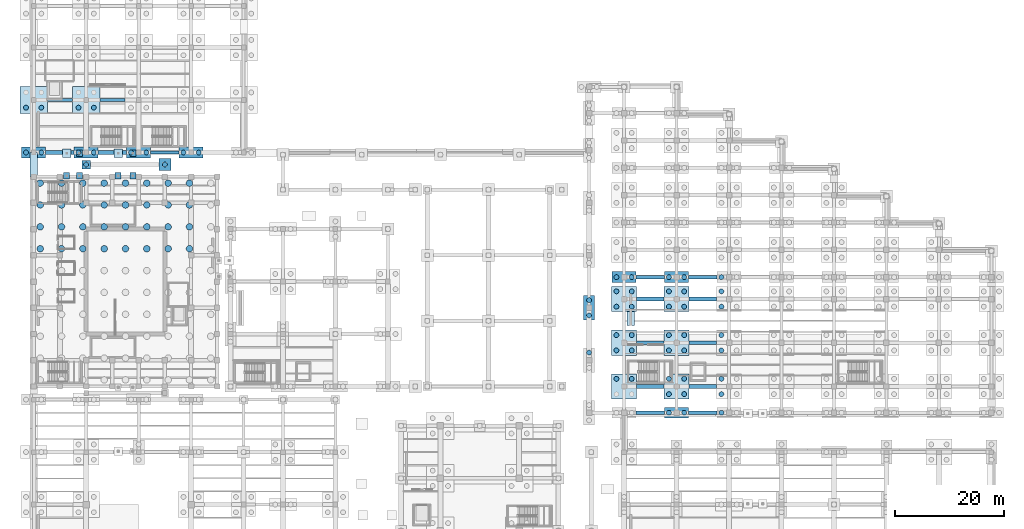
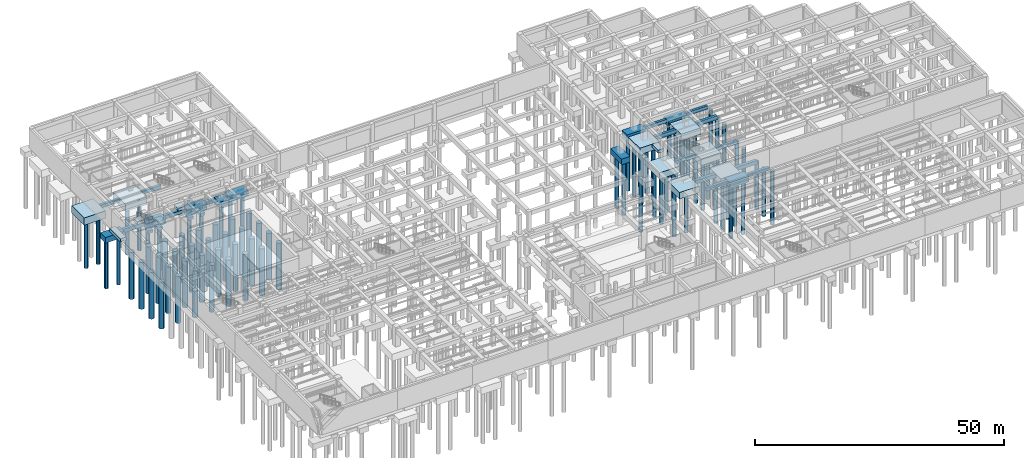
# One storey, part 5 of 56: 85 piles, 43 footings.
"""IFC4 building model written with IfcOpenShell, lengths in metres."""

from ifc_helpers import new_model, si_unit, direction, frame, origin, origin_2d, place, context, subcontext, project, spatial, rectangle, circle, extrude, material, material_profile, profile_set, type_object, element, save


model = new_model("IFC4")

# Units and contexts
model_context = context("Model", 3, precision=1e-05, world=origin(), true_north=direction((0.0, 1.0)))
body_context = subcontext(model_context, "Body", "Model", "MODEL_VIEW")
ifc_project = project(units=[si_unit("LENGTHUNIT", "METRE"), si_unit("AREAUNIT", "SQUARE_METRE"), si_unit("VOLUMEUNIT", "CUBIC_METRE"), si_unit("PLANEANGLEUNIT", "RADIAN"), si_unit("MASSUNIT", "GRAM", prefix="KILO")], contexts=[model_context])

# Site, building, storey
site_placement = place(None, origin())
site = spatial("IfcSite", under=ifc_project, at=site_placement, CompositionType="ELEMENT")
building_placement = place(site_placement, origin())
building = spatial("IfcBuilding", under=site, at=building_placement, Name="Mavantir Sound Aquarium", CompositionType="ELEMENT")
storey_placement = place(building_placement, frame((0.0, 0.0, -9.60009765625)))
storey = spatial("IfcBuildingStorey", under=building, at=storey_placement, Name="B2", CompositionType="ELEMENT", Elevation=-9.60009765625)

# Footings
ifc_material = material(Name="Concrete C40/50", Category="concrete")
ifc_material_profile_1 = material_profile(ifc_material, rectangle(XDim=0.60009765625, YDim=0.800048828125, at=origin_2d()), Name="RC 600X800")
ifc_profile_set_1 = profile_set([ifc_material_profile_1], Name="Concrete C40/50")
footing_type_1 = type_object("IfcFootingType", Name="FB-01", PredefinedType="FOOTING_BEAM", material=ifc_profile_set_1)
for number, where, z_axis, x_axis, name in (
    (1, (2.508056640625, 93.199951171875, -1.599853515625), (1.0, 0.0, 0.0), (0.0, 1.0, 0.0), "Foundation tie beam FB-01 7"),
    (2, (12.10791015625, 93.199951171875, -1.599853515625), (1.0, 0.0, 0.0), (0.0, 1.0, 0.0), "Foundation tie beam FB-01 15"),
):
    element("IfcFooting", number, at=place(storey_placement, frame(where, z_axis=z_axis, x_axis=x_axis)), inside=storey, type_object=footing_type_1, Name=name, PredefinedType="FOOTING_BEAM", context=body_context, shape_type="SweptSolid", body=[
        extrude(rectangle(XDim=0.60009765625, YDim=0.800048828125, at=origin_2d()), origin(), (0.0, 0.0, 1.0), 4.583984375),
    ])
for number, where, z_axis, x_axis, name in (
    (3, (21.407958984375, 83.60009765625, -1.599853515625), (1.0, 0.0, 0.0), (0.0, 1.0, 0.0), "Foundation tie beam FB-01 21"),
    (4, (110.2080078125, 36.0, -0.39990234375), (1.0, 0.0, 0.0), (0.0, 1.0, 0.0), "Foundation tie beam FB-01 85"),
):
    element("IfcFooting", number, at=place(storey_placement, frame(where, z_axis=z_axis, x_axis=x_axis)), inside=storey, type_object=footing_type_1, Name=name, PredefinedType="FOOTING_BEAM", context=body_context, shape_type="SweptSolid", body=[
        extrude(rectangle(XDim=0.60009765625, YDim=0.800048828125, at=origin_2d()), origin(), (0.0, 0.0, 1.0), 5.18408203125),
    ])
footing_1_placement = place(storey_placement, frame((110.30810546875, 48.800048828125, -1.599853515625), z_axis=(1.0, 0.0, 0.0), x_axis=(0.0, 1.0, 0.0)))
element("IfcFooting", 5, at=footing_1_placement, inside=storey, type_object=footing_type_1, Name="Foundation tie beam FB-01 87", PredefinedType="FOOTING_BEAM", context=body_context, shape_type="SweptSolid", body=[
    extrude(rectangle(XDim=0.60009765625, YDim=0.800048828125, at=origin_2d()), origin(), (0.0, 0.0, 1.0), 4.98388671875),
])
footing_2_placement = place(storey_placement, frame((110.2080078125, 60.800048828125, -0.39990234375), z_axis=(1.0, 0.0, 0.0), x_axis=(0.0, 1.0, 0.0)))
element("IfcFooting", 6, at=footing_2_placement, inside=storey, type_object=footing_type_1, Name="Foundation tie beam FB-01 89", PredefinedType="FOOTING_BEAM", context=body_context, shape_type="SweptSolid", body=[
    extrude(rectangle(XDim=0.60009765625, YDim=0.800048828125, at=origin_2d()), origin(), (0.0, 0.0, 1.0), 5.18408203125),
])
footing_3_placement = place(storey_placement, frame((119.80810546875, 36.0, -0.39990234375), z_axis=(1.0, 0.0, 0.0), x_axis=(0.0, 1.0, 0.0)))
element("IfcFooting", 7, at=footing_3_placement, inside=storey, type_object=footing_type_1, Name="Foundation tie beam FB-01 101", PredefinedType="FOOTING_BEAM", context=body_context, shape_type="SweptSolid", body=[
    extrude(rectangle(XDim=0.60009765625, YDim=0.800048828125, at=origin_2d()), origin(), (0.0, 0.0, 1.0), 5.183837890625),
])
footing_4_placement = place(storey_placement, frame((119.89990234375, 48.800048828125, -1.599853515625), z_axis=(1.0, 0.0, 0.0), x_axis=(0.0, 1.0, 0.0)))
element("IfcFooting", 8, at=footing_4_placement, inside=storey, type_object=footing_type_1, Name="Foundation tie beam FB-01 103", PredefinedType="FOOTING_BEAM", context=body_context, shape_type="SweptSolid", body=[
    extrude(rectangle(XDim=0.60009765625, YDim=0.800048828125, at=origin_2d()), origin(), (0.0, 0.0, 1.0), 4.9921875),
])
footing_5_placement = place(storey_placement, frame((119.80810546875, 60.800048828125, -0.39990234375), z_axis=(1.0, 0.0, 0.0), x_axis=(0.0, 1.0, 0.0)))
element("IfcFooting", 9, at=footing_5_placement, inside=storey, type_object=footing_type_1, Name="Foundation tie beam FB-01 105", PredefinedType="FOOTING_BEAM", context=body_context, shape_type="SweptSolid", body=[
    extrude(rectangle(XDim=0.60009765625, YDim=0.800048828125, at=origin_2d()), origin(), (0.0, 0.0, 1.0), 5.183837890625),
])
ifc_material_profile_2 = material_profile(ifc_material, rectangle(XDim=0.699951171875, YDim=0.89990234375, at=origin_2d()), Name="RC 700X900")
ifc_profile_set_2 = profile_set([ifc_material_profile_2], Name="Concrete C40/50")
footing_type_2 = type_object("IfcFootingType", Name="FB-02", PredefinedType="FOOTING_BEAM", material=ifc_profile_set_2)
footing_6_placement = place(storey_placement, frame((2.2080078125, 83.60009765625, -1.64990234375), z_axis=(1.0, 0.0, 0.0), x_axis=(0.0, 1.0, 0.0)))
element("IfcFooting", 10, at=footing_6_placement, inside=storey, type_object=footing_type_2, Name="Foundation tie beam FB-02 6", PredefinedType="FOOTING_BEAM", context=body_context, shape_type="SweptSolid", body=[
    extrude(rectangle(XDim=0.699951171875, YDim=0.89990234375, at=origin_2d()), origin(), (0.0, 0.0, 1.0), 5.18408203125),
])
footing_7_placement = place(storey_placement, frame((11.80810546875, 83.60009765625, -1.64990234375), z_axis=(1.0, 0.0, 0.0), x_axis=(0.0, 1.0, 0.0)))
element("IfcFooting", 11, at=footing_7_placement, inside=storey, type_object=footing_type_2, Name="Foundation tie beam FB-02 14", PredefinedType="FOOTING_BEAM", context=body_context, shape_type="SweptSolid", body=[
    extrude(rectangle(XDim=0.699951171875, YDim=0.89990234375, at=origin_2d()), origin(), (0.0, 0.0, 1.0), 5.183837890625),
])
for number, where, z_axis, x_axis, name in (
    (12, (110.30810546875, 40.800048828125, -1.64990234375), (1.0, 0.0, 0.0), (0.0, 1.0, 0.0), "Foundation tie beam FB-02 86"),
    (13, (110.30810546875, 56.800048828125, -0.449951171875), (1.0, 0.0, 0.0), (0.0, 1.0, 0.0), "Foundation tie beam FB-02 88"),
):
    element("IfcFooting", number, at=place(storey_placement, frame(where, z_axis=z_axis, x_axis=x_axis)), inside=storey, type_object=footing_type_2, Name=name, PredefinedType="FOOTING_BEAM", context=body_context, shape_type="SweptSolid", body=[
        extrude(rectangle(XDim=0.699951171875, YDim=0.89990234375, at=origin_2d()), origin(), (0.0, 0.0, 1.0), 4.98388671875),
    ])
for number, where, z_axis, x_axis, name in (
    (14, (119.89990234375, 40.800048828125, -1.64990234375), (1.0, 0.0, 0.0), (0.0, 1.0, 0.0), "Foundation tie beam FB-02 102"),
    (15, (119.89990234375, 56.800048828125, -0.449951171875), (1.0, 0.0, 0.0), (0.0, 1.0, 0.0), "Foundation tie beam FB-02 104"),
):
    element("IfcFooting", number, at=place(storey_placement, frame(where, z_axis=z_axis, x_axis=x_axis)), inside=storey, type_object=footing_type_2, Name=name, PredefinedType="FOOTING_BEAM", context=body_context, shape_type="SweptSolid", body=[
        extrude(rectangle(XDim=0.699951171875, YDim=0.89990234375, at=origin_2d()), origin(), (0.0, 0.0, 1.0), 4.9921875),
    ])
footing_type_3 = type_object("IfcFootingType", Name="PC-01", PredefinedType="PILE_CAP", material=ifc_material)
for number, where, z_axis, x_axis, name in (
    (16, (108.0, 40.800048828125, -2.800048828125), (0.0, 0.0, 1.0), (1.0, 0.0, 0.0), "Pile cap PC-01 59"),
    (17, (108.0, 48.800048828125, -2.800048828125), (0.0, 0.0, 1.0), (1.0, 0.0, 0.0), "Pile cap PC-01 60"),
    (18, (108.0, 56.800048828125, -1.599853515625), (0.0, 0.0, 1.0), (1.0, 0.0, 0.0), "Pile cap PC-01 61"),
    (19, (117.60009765625, 40.800048828125, -2.800048828125), (0.0, 0.0, 1.0), (1.0, 0.0, 0.0), "Pile cap PC-01 71"),
    (20, (117.60009765625, 48.800048828125, -2.800048828125), (0.0, 0.0, 1.0), (1.0, 0.0, 0.0), "Pile cap PC-01 72"),
    (21, (117.60009765625, 56.800048828125, -1.599853515625), (0.0, 0.0, 1.0), (1.0, 0.0, 0.0), "Pile cap PC-01 73"),
):
    element("IfcFooting", number, at=place(storey_placement, frame(where, z_axis=z_axis, x_axis=x_axis)), inside=storey, type_object=footing_type_3, Name=name, PredefinedType="PILE_CAP", context=body_context, shape_type="SweptSolid", body=[
        extrude(rectangle(XDim=4.60009765625, YDim=4.60009765625, at=origin_2d()), origin(), (0.0, 0.0, 1.0), 1.60009765625),
    ])
footing_type_4 = type_object("IfcFootingType", Name="PC-03", PredefinedType="PILE_CAP", material=ifc_material)
for number, where, z_axis, x_axis, name in (
    (22, (108.0, 60.800048828125, -1.39990234375), (0.0, 0.0, 1.0), (1.0, 0.0, 0.0), "Pile cap PC-03 62"),
    (23, (117.60009765625, 36.0, -1.39990234375), (0.0, 0.0, 1.0), (1.0, 0.0, 0.0), "Pile cap PC-03 70"),
    (24, (117.60009765625, 60.800048828125, -1.39990234375), (0.0, 0.0, 1.0), (1.0, 0.0, 0.0), "Pile cap PC-03 74"),
    (25, (0.0, 83.60009765625, -2.599853515625), (0.0, 0.0, 1.0), (1.0, 0.0, 0.0), "Pile cap PC-03 133"),
    (26, (9.60009765625, 83.60009765625, -2.599853515625), (0.0, 0.0, 1.0), (1.0, 0.0, 0.0), "Pile cap PC-03 138"),
    (27, (19.199951171875, 83.60009765625, -2.599853515625), (0.0, 0.0, 1.0), (1.0, 0.0, 0.0), "Pile cap PC-03 143"),
    (28, (28.800048828125, 83.60009765625, -2.599853515625), (0.0, 0.0, 1.0), (1.0, 0.0, 0.0), "Pile cap PC-03 148"),
):
    element("IfcFooting", number, at=place(storey_placement, frame(where, z_axis=z_axis, x_axis=x_axis)), inside=storey, type_object=footing_type_4, Name=name, PredefinedType="PILE_CAP", context=body_context, shape_type="SweptSolid", body=[
        extrude(rectangle(XDim=4.39990234375, YDim=2.0, at=origin_2d()), origin(), (0.0, 0.0, 1.0), 1.39990234375),
    ])
footing_type_5 = type_object("IfcFootingType", Name="PC-04", PredefinedType="PILE_CAP", material=ifc_material)
footing_8_placement = place(storey_placement, frame((101.60009765625, 55.199951171875, -1.39990234375), z_axis=(0.0, 0.0, 1.0), x_axis=(1.0, 0.0, 0.0)))
element("IfcFooting", 29, at=footing_8_placement, inside=storey, type_object=footing_type_5, Name="Pile cap PC-04 52", PredefinedType="PILE_CAP", context=body_context, shape_type="SweptSolid", body=[
    extrude(rectangle(XDim=2.0, YDim=4.39990234375, at=origin_2d()), origin(), (0.0, 0.0, 1.0), 1.39990234375),
])
footing_type_6 = type_object("IfcFootingType", Name="PC-06", PredefinedType="PILE_CAP", material=ifc_material)
for number, where, z_axis, x_axis, name in (
    (30, (0.0, 93.199951171875, -3.0), (0.0, 0.0, 1.0), (1.0, 0.0, 0.0), "Pile cap PC-06 134"),
    (31, (9.60009765625, 93.199951171875, -3.0), (0.0, 0.0, 1.0), (1.0, 0.0, 0.0), "Pile cap PC-06 139"),
):
    element("IfcFooting", number, at=place(storey_placement, frame(where, z_axis=z_axis, x_axis=x_axis)), inside=storey, type_object=footing_type_6, Name=name, PredefinedType="PILE_CAP", context=body_context, shape_type="SweptSolid", body=[
        extrude(rectangle(XDim=5.0, YDim=5.0, at=origin_2d()), origin(), (0.0, 0.0, 1.0), 1.800048828125),
    ])
footing_type_7 = type_object("IfcFootingType", Name="PC-08", PredefinedType="PILE_CAP", material=ifc_material)
footing_9_placement = place(storey_placement, frame((24.0, 81.39990234375, -1.2998046875), z_axis=(0.0, 0.0, 1.0), x_axis=(1.0, 0.0, 0.0)))
element("IfcFooting", 32, at=footing_9_placement, inside=storey, type_object=footing_type_7, Name="Pile cap PC-08 236", PredefinedType="PILE_CAP", context=body_context, shape_type="SweptSolid", body=[
    extrude(rectangle(XDim=2.199951171875, YDim=2.199951171875, at=origin_2d()), origin(), (0.0, 0.0, 1.0), 1.300048828125),
])
footing_type_8 = type_object("IfcFootingType", Name="PC-13", PredefinedType="PILE_CAP", material=ifc_material)
footing_10_placement = place(storey_placement, frame((9.60009765625, 81.39990234375, -1.099853515625), z_axis=(0.0, 0.0, 1.0), x_axis=(1.0, 0.0, 0.0)))
element("IfcFooting", 33, at=footing_10_placement, inside=storey, type_object=footing_type_8, Name="Pile cap PC-13 235", PredefinedType="PILE_CAP", context=body_context, shape_type="SweptSolid", body=[
    extrude(rectangle(XDim=1.550048828125, YDim=1.550048828125, at=origin_2d()), origin(), (0.0, 0.0, 1.0), 1.10009765625),
])
footing_type_9 = type_object("IfcFootingType", Name="PF-04", PredefinedType="PAD_FOOTING", material=ifc_material)
for number, where, z_axis, x_axis, name in (
    (34, (15.449951171875, 83.449951171875, -0.69970703125), (0.0, 0.0, 1.0), (1.0, 0.0, 0.0), "Bridge pier footing 3.2"),
    (35, (6.050048828125, 83.449951171875, -0.69970703125), (0.0, 0.0, 1.0), (1.0, 0.0, 0.0), "Bridge pier footing 5.2"),
):
    element("IfcFooting", number, at=place(storey_placement, frame(where, z_axis=z_axis, x_axis=x_axis)), inside=storey, type_object=footing_type_9, Name=name, PredefinedType="PAD_FOOTING", context=body_context, shape_type="SweptSolid", body=[
        extrude(rectangle(XDim=1.60009765625, YDim=1.60009765625, at=origin_2d()), origin(), (0.0, 0.0, 1.0), 0.699951171875),
    ])

# Piles
ifc_material_profile_3 = material_profile(ifc_material, circle(Radius=0.60009765625, at=origin_2d()), Name="PILE D1200")
ifc_profile_set_3 = profile_set([ifc_material_profile_3], Name="Concrete C40/50")
pile_type_1 = type_object("IfcPileType", Name="PILE-D1200", PredefinedType="BORED", material=ifc_profile_set_3)
for number, where, z_axis, x_axis, name in (
    (36, (1.199951171875, 66.0, -2.89990234375), (0.0, 0.0, -1.0), (1.0, 0.0, 0.0), "Bored pile P-1200 7"),
    (37, (1.199951171875, 70.0, -2.89990234375), (0.0, 0.0, -1.0), (1.0, 0.0, 0.0), "Bored pile P-1200 8"),
    (38, (1.199951171875, 74.0, -2.89990234375), (0.0, 0.0, -1.0), (1.0, 0.0, 0.0), "Bored pile P-1200 9"),
    (39, (1.199951171875, 78.0, -2.89990234375), (0.0, 0.0, -1.0), (1.0, 0.0, 0.0), "Bored pile P-1200 10"),
    (40, (5.10009765625, 66.0, -2.89990234375), (0.0, 0.0, -1.0), (1.0, 0.0, 0.0), "Bored pile P-1200 17"),
    (41, (5.10009765625, 70.0, -2.89990234375), (0.0, 0.0, -1.0), (1.0, 0.0, 0.0), "Bored pile P-1200 18"),
    (42, (5.10009765625, 74.0, -2.89990234375), (0.0, 0.0, -1.0), (1.0, 0.0, 0.0), "Bored pile P-1200 19"),
    (43, (5.10009765625, 78.0, -2.89990234375), (0.0, 0.0, -1.0), (1.0, 0.0, 0.0), "Bored pile P-1200 20"),
    (44, (9.0, 66.0, -2.89990234375), (0.0, 0.0, -1.0), (1.0, 0.0, 0.0), "Bored pile P-1200 27"),
    (45, (9.0, 70.0, -2.89990234375), (0.0, 0.0, -1.0), (1.0, 0.0, 0.0), "Bored pile P-1200 28"),
    (46, (9.0, 74.0, -2.89990234375), (0.0, 0.0, -1.0), (1.0, 0.0, 0.0), "Bored pile P-1200 29"),
    (47, (9.0, 78.0, -2.89990234375), (0.0, 0.0, -1.0), (1.0, 0.0, 0.0), "Bored pile P-1200 30"),
    (48, (12.89990234375, 66.0, -2.89990234375), (0.0, 0.0, -1.0), (1.0, 0.0, 0.0), "Bored pile P-1200 37"),
    (49, (12.89990234375, 70.0, -2.89990234375), (0.0, 0.0, -1.0), (1.0, 0.0, 0.0), "Bored pile P-1200 38"),
    (50, (12.89990234375, 74.0, -2.89990234375), (0.0, 0.0, -1.0), (1.0, 0.0, 0.0), "Bored pile P-1200 39"),
    (51, (12.89990234375, 78.0, -2.89990234375), (0.0, 0.0, -1.0), (1.0, 0.0, 0.0), "Bored pile P-1200 40"),
    (52, (16.800048828125, 66.0, -2.89990234375), (0.0, 0.0, -1.0), (1.0, 0.0, 0.0), "Bored pile P-1200 47"),
    (53, (16.800048828125, 70.0, -2.89990234375), (0.0, 0.0, -1.0), (1.0, 0.0, 0.0), "Bored pile P-1200 48"),
    (54, (16.800048828125, 74.0, -2.89990234375), (0.0, 0.0, -1.0), (1.0, 0.0, 0.0), "Bored pile P-1200 49"),
    (55, (16.800048828125, 78.0, -2.89990234375), (0.0, 0.0, -1.0), (1.0, 0.0, 0.0), "Bored pile P-1200 50"),
    (56, (20.699951171875, 66.0, -2.89990234375), (0.0, 0.0, -1.0), (1.0, 0.0, 0.0), "Bored pile P-1200 57"),
    (57, (20.699951171875, 70.0, -2.89990234375), (0.0, 0.0, -1.0), (1.0, 0.0, 0.0), "Bored pile P-1200 58"),
    (58, (20.699951171875, 74.0, -2.89990234375), (0.0, 0.0, -1.0), (1.0, 0.0, 0.0), "Bored pile P-1200 59"),
    (59, (20.699951171875, 78.0, -2.89990234375), (0.0, 0.0, -1.0), (1.0, 0.0, 0.0), "Bored pile P-1200 60"),
    (60, (24.60009765625, 66.0, -2.89990234375), (0.0, 0.0, -1.0), (1.0, 0.0, 0.0), "Bored pile P-1200 67"),
    (61, (24.60009765625, 70.0, -2.89990234375), (0.0, 0.0, -1.0), (1.0, 0.0, 0.0), "Bored pile P-1200 68"),
    (62, (24.60009765625, 74.0, -2.89990234375), (0.0, 0.0, -1.0), (1.0, 0.0, 0.0), "Bored pile P-1200 69"),
    (63, (24.60009765625, 78.0, -2.89990234375), (0.0, 0.0, -1.0), (1.0, 0.0, 0.0), "Bored pile P-1200 70"),
    (64, (28.5, 66.0, -2.89990234375), (0.0, 0.0, -1.0), (1.0, 0.0, 0.0), "Bored pile P-1200 77"),
    (65, (28.5, 70.0, -2.89990234375), (0.0, 0.0, -1.0), (1.0, 0.0, 0.0), "Bored pile P-1200 78"),
    (66, (28.5, 74.0, -2.89990234375), (0.0, 0.0, -1.0), (1.0, 0.0, 0.0), "Bored pile P-1200 79"),
    (67, (28.5, 78.0, -2.89990234375), (0.0, 0.0, -1.0), (1.0, 0.0, 0.0), "Bored pile P-1200 80"),
):
    element("IfcPile", number, at=place(storey_placement, frame(where, z_axis=z_axis, x_axis=x_axis)), inside=storey, type_object=pile_type_1, Name=name, PredefinedType="BORED", context=body_context, shape_type="SweptSolid", body=[
        extrude(circle(Radius=0.60009765625, at=origin_2d()), origin(), (0.0, 0.0, 1.0), 11.5),
    ])
ifc_material_profile_4 = material_profile(ifc_material, circle(Radius=0.449951171875, at=origin_2d()), Name="PILE D900")
ifc_profile_set_4 = profile_set([ifc_material_profile_4], Name="Concrete C40/50")
pile_type_2 = type_object("IfcPileType", Name="PILE-D900", PredefinedType="BORED", material=ifc_profile_set_4)
for number, where, z_axis, x_axis, name in (
    (68, (101.60009765625, 47.0, -1.2998046875), (0.0, 0.0, -1.0), (1.0, 0.0, 0.0), "Bored pile P-900 212"),
    (69, (101.60009765625, 53.800048828125, -1.2998046875), (0.0, 0.0, -1.0), (1.0, 0.0, 0.0), "Bored pile P-900 213"),
    (70, (101.60009765625, 56.60009765625, -1.2998046875), (0.0, 0.0, -1.0), (1.0, 0.0, 0.0), "Bored pile P-900 214"),
):
    element("IfcPile", number, at=place(storey_placement, frame(where, z_axis=z_axis, x_axis=x_axis)), inside=storey, type_object=pile_type_2, Name=name, PredefinedType="BORED", context=body_context, shape_type="SweptSolid", body=[
        extrude(circle(Radius=0.449951171875, at=origin_2d()), origin(), (0.0, 0.0, 1.0), 13.10009765625),
    ])
for number, where, z_axis, x_axis, name in (
    (71, (106.60009765625, 42.199951171875, -2.699951171875), (0.0, 0.0, -1.0), (1.0, 0.0, 0.0), "Bored pile P-900 229"),
    (72, (109.39990234375, 42.199951171875, -2.699951171875), (0.0, 0.0, -1.0), (1.0, 0.0, 0.0), "Bored pile P-900 230"),
    (73, (106.60009765625, 47.39990234375, -2.699951171875), (0.0, 0.0, -1.0), (1.0, 0.0, 0.0), "Bored pile P-900 231"),
    (74, (109.39990234375, 47.39990234375, -2.699951171875), (0.0, 0.0, -1.0), (1.0, 0.0, 0.0), "Bored pile P-900 232"),
    (75, (106.60009765625, 50.199951171875, -2.699951171875), (0.0, 0.0, -1.0), (1.0, 0.0, 0.0), "Bored pile P-900 233"),
    (76, (109.39990234375, 50.199951171875, -2.699951171875), (0.0, 0.0, -1.0), (1.0, 0.0, 0.0), "Bored pile P-900 234"),
):
    element("IfcPile", number, at=place(storey_placement, frame(where, z_axis=z_axis, x_axis=x_axis)), inside=storey, type_object=pile_type_2, Name=name, PredefinedType="BORED", context=body_context, shape_type="SweptSolid", body=[
        extrude(circle(Radius=0.449951171875, at=origin_2d()), origin(), (0.0, 0.0, 1.0), 11.699951171875),
    ])
for number, where, z_axis, x_axis, name in (
    (77, (106.60009765625, 55.39990234375, -1.5), (0.0, 0.0, -1.0), (1.0, 0.0, 0.0), "Bored pile P-900 235"),
    (78, (109.39990234375, 55.39990234375, -1.5), (0.0, 0.0, -1.0), (1.0, 0.0, 0.0), "Bored pile P-900 236"),
    (79, (106.60009765625, 58.199951171875, -1.5), (0.0, 0.0, -1.0), (1.0, 0.0, 0.0), "Bored pile P-900 237"),
    (80, (109.39990234375, 58.199951171875, -1.5), (0.0, 0.0, -1.0), (1.0, 0.0, 0.0), "Bored pile P-900 238"),
):
    element("IfcPile", number, at=place(storey_placement, frame(where, z_axis=z_axis, x_axis=x_axis)), inside=storey, type_object=pile_type_2, Name=name, PredefinedType="BORED", context=body_context, shape_type="SweptSolid", body=[
        extrude(circle(Radius=0.449951171875, at=origin_2d()), origin(), (0.0, 0.0, 1.0), 12.89990234375),
    ])
for number, where, z_axis, x_axis, name in (
    (81, (106.60009765625, 60.800048828125, -1.2998046875), (0.0, 0.0, -1.0), (1.0, 0.0, 0.0), "Bored pile P-900 239"),
    (82, (109.39990234375, 60.800048828125, -1.2998046875), (0.0, 0.0, -1.0), (1.0, 0.0, 0.0), "Bored pile P-900 240"),
    (83, (116.199951171875, 36.0, -1.2998046875), (0.0, 0.0, -1.0), (1.0, 0.0, 0.0), "Bored pile P-900 260"),
    (84, (119.0, 36.0, -1.2998046875), (0.0, 0.0, -1.0), (1.0, 0.0, 0.0), "Bored pile P-900 261"),
):
    element("IfcPile", number, at=place(storey_placement, frame(where, z_axis=z_axis, x_axis=x_axis)), inside=storey, type_object=pile_type_2, Name=name, PredefinedType="BORED", context=body_context, shape_type="SweptSolid", body=[
        extrude(circle(Radius=0.449951171875, at=origin_2d()), origin(), (0.0, 0.0, 1.0), 13.10009765625),
    ])
for number, where, z_axis, x_axis, name in (
    (85, (116.199951171875, 39.39990234375, -2.699951171875), (0.0, 0.0, -1.0), (1.0, 0.0, 0.0), "Bored pile P-900 262"),
    (86, (119.0, 39.39990234375, -2.699951171875), (0.0, 0.0, -1.0), (1.0, 0.0, 0.0), "Bored pile P-900 263"),
    (87, (116.199951171875, 42.199951171875, -2.699951171875), (0.0, 0.0, -1.0), (1.0, 0.0, 0.0), "Bored pile P-900 264"),
    (88, (119.0, 42.199951171875, -2.699951171875), (0.0, 0.0, -1.0), (1.0, 0.0, 0.0), "Bored pile P-900 265"),
    (89, (116.199951171875, 47.39990234375, -2.699951171875), (0.0, 0.0, -1.0), (1.0, 0.0, 0.0), "Bored pile P-900 266"),
    (90, (119.0, 47.39990234375, -2.699951171875), (0.0, 0.0, -1.0), (1.0, 0.0, 0.0), "Bored pile P-900 267"),
    (91, (116.199951171875, 50.199951171875, -2.699951171875), (0.0, 0.0, -1.0), (1.0, 0.0, 0.0), "Bored pile P-900 268"),
    (92, (119.0, 50.199951171875, -2.699951171875), (0.0, 0.0, -1.0), (1.0, 0.0, 0.0), "Bored pile P-900 269"),
):
    element("IfcPile", number, at=place(storey_placement, frame(where, z_axis=z_axis, x_axis=x_axis)), inside=storey, type_object=pile_type_2, Name=name, PredefinedType="BORED", context=body_context, shape_type="SweptSolid", body=[
        extrude(circle(Radius=0.449951171875, at=origin_2d()), origin(), (0.0, 0.0, 1.0), 11.699951171875),
    ])
for number, where, z_axis, x_axis, name in (
    (93, (116.199951171875, 55.39990234375, -1.5), (0.0, 0.0, -1.0), (1.0, 0.0, 0.0), "Bored pile P-900 270"),
    (94, (119.0, 55.39990234375, -1.5), (0.0, 0.0, -1.0), (1.0, 0.0, 0.0), "Bored pile P-900 271"),
    (95, (116.199951171875, 58.199951171875, -1.5), (0.0, 0.0, -1.0), (1.0, 0.0, 0.0), "Bored pile P-900 272"),
    (96, (119.0, 58.199951171875, -1.5), (0.0, 0.0, -1.0), (1.0, 0.0, 0.0), "Bored pile P-900 273"),
):
    element("IfcPile", number, at=place(storey_placement, frame(where, z_axis=z_axis, x_axis=x_axis)), inside=storey, type_object=pile_type_2, Name=name, PredefinedType="BORED", context=body_context, shape_type="SweptSolid", body=[
        extrude(circle(Radius=0.449951171875, at=origin_2d()), origin(), (0.0, 0.0, 1.0), 12.89990234375),
    ])
for number, where, z_axis, x_axis, name in (
    (97, (116.199951171875, 60.800048828125, -1.2998046875), (0.0, 0.0, -1.0), (1.0, 0.0, 0.0), "Bored pile P-900 274"),
    (98, (119.0, 60.800048828125, -1.2998046875), (0.0, 0.0, -1.0), (1.0, 0.0, 0.0), "Bored pile P-900 275"),
    (99, (125.800048828125, 36.0, -1.2998046875), (0.0, 0.0, -1.0), (1.0, 0.0, 0.0), "Bored pile P-900 295"),
):
    element("IfcPile", number, at=place(storey_placement, frame(where, z_axis=z_axis, x_axis=x_axis)), inside=storey, type_object=pile_type_2, Name=name, PredefinedType="BORED", context=body_context, shape_type="SweptSolid", body=[
        extrude(circle(Radius=0.449951171875, at=origin_2d()), origin(), (0.0, 0.0, 1.0), 13.10009765625),
    ])
for number, where, z_axis, x_axis, name in (
    (100, (125.800048828125, 39.39990234375, -2.699951171875), (0.0, 0.0, -1.0), (1.0, 0.0, 0.0), "Bored pile P-900 297"),
    (101, (125.800048828125, 42.199951171875, -2.699951171875), (0.0, 0.0, -1.0), (1.0, 0.0, 0.0), "Bored pile P-900 299"),
    (102, (125.800048828125, 47.39990234375, -2.699951171875), (0.0, 0.0, -1.0), (1.0, 0.0, 0.0), "Bored pile P-900 301"),
    (103, (125.800048828125, 50.199951171875, -2.699951171875), (0.0, 0.0, -1.0), (1.0, 0.0, 0.0), "Bored pile P-900 303"),
):
    element("IfcPile", number, at=place(storey_placement, frame(where, z_axis=z_axis, x_axis=x_axis)), inside=storey, type_object=pile_type_2, Name=name, PredefinedType="BORED", context=body_context, shape_type="SweptSolid", body=[
        extrude(circle(Radius=0.449951171875, at=origin_2d()), origin(), (0.0, 0.0, 1.0), 11.699951171875),
    ])
for number, where, z_axis, x_axis, name in (
    (104, (125.800048828125, 55.39990234375, -1.5), (0.0, 0.0, -1.0), (1.0, 0.0, 0.0), "Bored pile P-900 305"),
    (105, (125.800048828125, 58.199951171875, -1.5), (0.0, 0.0, -1.0), (1.0, 0.0, 0.0), "Bored pile P-900 307"),
):
    element("IfcPile", number, at=place(storey_placement, frame(where, z_axis=z_axis, x_axis=x_axis)), inside=storey, type_object=pile_type_2, Name=name, PredefinedType="BORED", context=body_context, shape_type="SweptSolid", body=[
        extrude(circle(Radius=0.449951171875, at=origin_2d()), origin(), (0.0, 0.0, 1.0), 12.89990234375),
    ])
pile_1_placement = place(storey_placement, frame((125.800048828125, 60.800048828125, -1.2998046875), z_axis=(0.0, 0.0, -1.0), x_axis=(1.0, 0.0, 0.0)))
element("IfcPile", 106, at=pile_1_placement, inside=storey, type_object=pile_type_2, Name="Bored pile P-900 309", PredefinedType="BORED", context=body_context, shape_type="SweptSolid", body=[
    extrude(circle(Radius=0.449951171875, at=origin_2d()), origin(), (0.0, 0.0, 1.0), 13.10009765625),
])
for number, where, z_axis, x_axis, name in (
    (107, (-1.39990234375, 83.60009765625, -2.5), (0.0, 0.0, -1.0), (1.0, 0.0, 0.0), "Bored pile P-900 445"),
    (108, (1.39990234375, 83.60009765625, -2.5), (0.0, 0.0, -1.0), (1.0, 0.0, 0.0), "Bored pile P-900 446"),
):
    element("IfcPile", number, at=place(storey_placement, frame(where, z_axis=z_axis, x_axis=x_axis)), inside=storey, type_object=pile_type_2, Name=name, PredefinedType="BORED", context=body_context, shape_type="SweptSolid", body=[
        extrude(circle(Radius=0.449951171875, at=origin_2d()), origin(), (0.0, 0.0, 1.0), 11.89990234375),
    ])
for number, where, z_axis, x_axis, name in (
    (109, (-1.39990234375, 91.800048828125, -2.89990234375), (0.0, 0.0, -1.0), (1.0, 0.0, 0.0), "Bored pile P-900 447"),
    (110, (1.39990234375, 91.800048828125, -2.89990234375), (0.0, 0.0, -1.0), (1.0, 0.0, 0.0), "Bored pile P-900 448"),
):
    element("IfcPile", number, at=place(storey_placement, frame(where, z_axis=z_axis, x_axis=x_axis)), inside=storey, type_object=pile_type_2, Name=name, PredefinedType="BORED", context=body_context, shape_type="SweptSolid", body=[
        extrude(circle(Radius=0.449951171875, at=origin_2d()), origin(), (0.0, 0.0, 1.0), 11.5),
    ])
for number, where, z_axis, x_axis, name in (
    (111, (8.199951171875, 83.60009765625, -2.5), (0.0, 0.0, -1.0), (1.0, 0.0, 0.0), "Bored pile P-900 461"),
    (112, (11.0, 83.60009765625, -2.5), (0.0, 0.0, -1.0), (1.0, 0.0, 0.0), "Bored pile P-900 462"),
):
    element("IfcPile", number, at=place(storey_placement, frame(where, z_axis=z_axis, x_axis=x_axis)), inside=storey, type_object=pile_type_2, Name=name, PredefinedType="BORED", context=body_context, shape_type="SweptSolid", body=[
        extrude(circle(Radius=0.449951171875, at=origin_2d()), origin(), (0.0, 0.0, 1.0), 11.89990234375),
    ])
for number, where, z_axis, x_axis, name in (
    (113, (8.199951171875, 91.800048828125, -2.89990234375), (0.0, 0.0, -1.0), (1.0, 0.0, 0.0), "Bored pile P-900 463"),
    (114, (11.0, 91.800048828125, -2.89990234375), (0.0, 0.0, -1.0), (1.0, 0.0, 0.0), "Bored pile P-900 464"),
):
    element("IfcPile", number, at=place(storey_placement, frame(where, z_axis=z_axis, x_axis=x_axis)), inside=storey, type_object=pile_type_2, Name=name, PredefinedType="BORED", context=body_context, shape_type="SweptSolid", body=[
        extrude(circle(Radius=0.449951171875, at=origin_2d()), origin(), (0.0, 0.0, 1.0), 11.5),
    ])
for number, where, z_axis, x_axis, name in (
    (115, (17.800048828125, 83.60009765625, -2.5), (0.0, 0.0, -1.0), (1.0, 0.0, 0.0), "Bored pile P-900 477"),
    (116, (20.60009765625, 83.60009765625, -2.5), (0.0, 0.0, -1.0), (1.0, 0.0, 0.0), "Bored pile P-900 478"),
    (117, (27.39990234375, 83.60009765625, -2.5), (0.0, 0.0, -1.0), (1.0, 0.0, 0.0), "Bored pile P-900 493"),
    (118, (30.199951171875, 83.60009765625, -2.5), (0.0, 0.0, -1.0), (1.0, 0.0, 0.0), "Bored pile P-900 494"),
):
    element("IfcPile", number, at=place(storey_placement, frame(where, z_axis=z_axis, x_axis=x_axis)), inside=storey, type_object=pile_type_2, Name=name, PredefinedType="BORED", context=body_context, shape_type="SweptSolid", body=[
        extrude(circle(Radius=0.449951171875, at=origin_2d()), origin(), (0.0, 0.0, 1.0), 11.89990234375),
    ])
pile_2_placement = place(storey_placement, frame((9.60009765625, 81.39990234375, -1.0), z_axis=(0.0, 0.0, -1.0), x_axis=(1.0, 0.0, 0.0)))
element("IfcPile", 119, at=pile_2_placement, inside=storey, type_object=pile_type_2, Name="Bored pile P-900 657", PredefinedType="BORED", context=body_context, shape_type="SweptSolid", body=[
    extrude(circle(Radius=0.449951171875, at=origin_2d()), origin(), (0.0, 0.0, 1.0), 13.39990234375),
])
pile_3_placement = place(storey_placement, frame((24.0, 81.39990234375, -1.199951171875), z_axis=(0.0, 0.0, -1.0), x_axis=(1.0, 0.0, 0.0)))
element("IfcPile", 120, at=pile_3_placement, inside=storey, type_object=pile_type_2, Name="Bored pile P-900 658", PredefinedType="BORED", context=body_context, shape_type="SweptSolid", body=[
    extrude(circle(Radius=0.449951171875, at=origin_2d()), origin(), (0.0, 0.0, 1.0), 13.199951171875),
])

# Footings
ifc_material_profile_5 = material_profile(ifc_material, rectangle(XDim=1.199951171875, YDim=0.64990234375, at=origin_2d()), Name="RC 1200X650")
ifc_profile_set_5 = profile_set([ifc_material_profile_5], Name="Concrete C40/50")
footing_type_10 = type_object("IfcFootingType", Name="SF-01", PredefinedType="STRIP_FOOTING", material=ifc_profile_set_5)
footing_11_placement = place(storey_placement, frame((14.89990234375, 79.35009765625, -0.324951171875), z_axis=(1.0, 0.0, 0.0), x_axis=(0.0, 1.0, 0.0)))
element("IfcFooting", 121, at=footing_11_placement, inside=storey, type_object=footing_type_10, Name="Bridge pier strip footing 3.1", PredefinedType="STRIP_FOOTING", context=body_context, shape_type="SweptSolid", body=[
    extrude(rectangle(XDim=1.199951171875, YDim=0.64990234375, at=origin_2d()), origin(), (0.0, 0.0, 1.0), 1.10009765625),
])
for number, where, z_axis, x_axis, name in (
    (122, (17.60009765625, 79.35009765625, -0.324951171875), (1.0, 0.0, 0.0), (0.0, 1.0, 0.0), "Bridge pier strip footing 3.3"),
    (123, (17.60009765625, 83.449951171875, -0.324951171875), (1.0, 0.0, 0.0), (0.0, 1.0, 0.0), "Bridge pier strip footing 3.4"),
):
    element("IfcFooting", number, at=place(storey_placement, frame(where, z_axis=z_axis, x_axis=x_axis)), inside=storey, type_object=footing_type_10, Name=name, PredefinedType="STRIP_FOOTING", context=body_context, shape_type="SweptSolid", body=[
        extrude(rectangle(XDim=1.199951171875, YDim=0.64990234375, at=origin_2d()), origin(), (0.0, 0.0, 1.0), 1.099853515625),
    ])
footing_12_placement = place(storey_placement, frame((5.5, 79.35009765625, -0.324951171875), z_axis=(1.0, 0.0, 0.0), x_axis=(0.0, 1.0, 0.0)))
element("IfcFooting", 124, at=footing_12_placement, inside=storey, type_object=footing_type_10, Name="Bridge pier strip footing 5.1", PredefinedType="STRIP_FOOTING", context=body_context, shape_type="SweptSolid", body=[
    extrude(rectangle(XDim=1.199951171875, YDim=0.64990234375, at=origin_2d()), origin(), (0.0, 0.0, 1.0), 1.10009765625),
])
for number, where, z_axis, x_axis, name in (
    (125, (7.800048828125, 79.35009765625, -0.324951171875), (1.0, 0.0, 0.0), (0.0, 1.0, 0.0), "Bridge pier strip footing 5.3"),
    (126, (7.800048828125, 83.449951171875, -0.324951171875), (1.0, 0.0, 0.0), (0.0, 1.0, 0.0), "Bridge pier strip footing 5.4"),
):
    element("IfcFooting", number, at=place(storey_placement, frame(where, z_axis=z_axis, x_axis=x_axis)), inside=storey, type_object=footing_type_10, Name=name, PredefinedType="STRIP_FOOTING", context=body_context, shape_type="SweptSolid", body=[
        extrude(rectangle(XDim=1.199951171875, YDim=0.64990234375, at=origin_2d()), origin(), (0.0, 0.0, 1.0), 1.099853515625),
    ])
ifc_material_profile_6 = material_profile(ifc_material, rectangle(XDim=1.39990234375, YDim=0.75, at=origin_2d()), Name="RC 1400X750")
ifc_profile_set_6 = profile_set([ifc_material_profile_6], Name="Concrete C40/50")
footing_type_11 = type_object("IfcFootingType", Name="SF-02", PredefinedType="STRIP_FOOTING", material=ifc_profile_set_6)
footing_13_placement = place(storey_placement, frame((0.0, 79.199951171875, -0.375), z_axis=(0.0, 1.0, 0.0), x_axis=(-1.0, 0.0, 0.0)))
element("IfcFooting", 127, at=footing_13_placement, inside=storey, type_object=footing_type_11, Name="Perimeter retaining wall strip footing 4", PredefinedType="STRIP_FOOTING", context=body_context, shape_type="SweptSolid", body=[
    extrude(rectangle(XDim=1.39990234375, YDim=0.75, at=origin_2d()), origin(), (0.0, 0.0, 1.0), 4.400146484375),
])
footing_14_placement = place(storey_placement, frame((109.199951171875, 52.0, -0.375), z_axis=(0.0, 1.0, 0.0), x_axis=(-1.0, 0.0, 0.0)))
element("IfcFooting", 128, at=footing_14_placement, inside=storey, type_object=footing_type_11, Name="Shear wall strip footing 49", PredefinedType="STRIP_FOOTING", context=body_context, shape_type="SweptSolid", body=[
    extrude(rectangle(XDim=1.39990234375, YDim=0.75, at=origin_2d()), origin(), (0.0, 0.0, 1.0), 2.491943359375),
])

save(model, "model.ifc")
